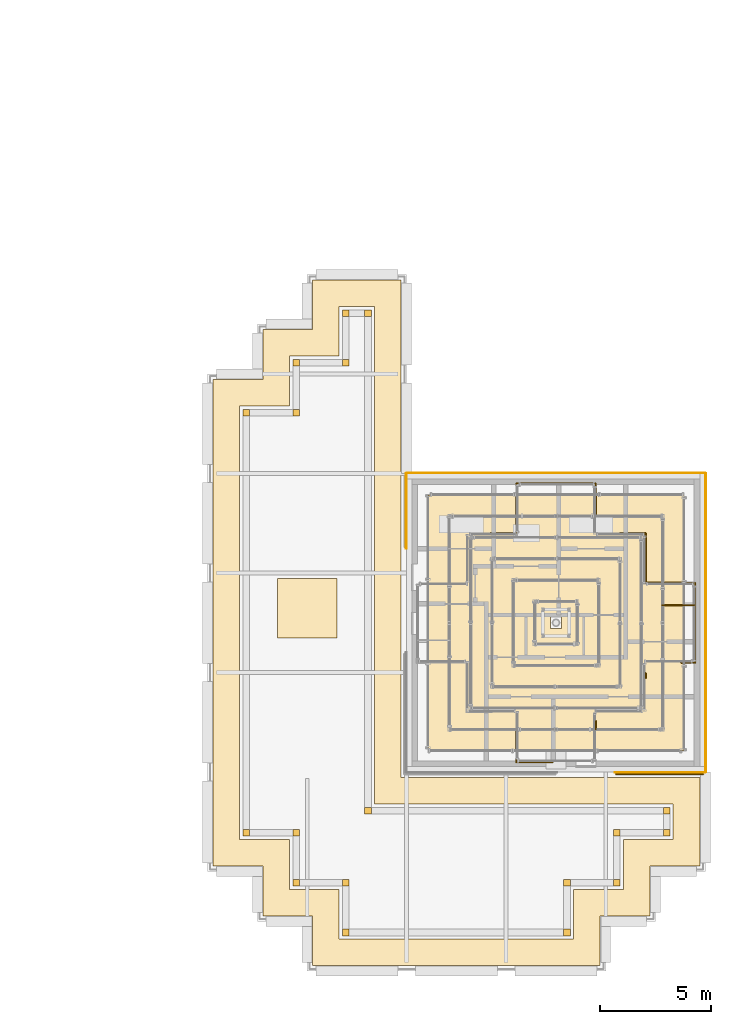
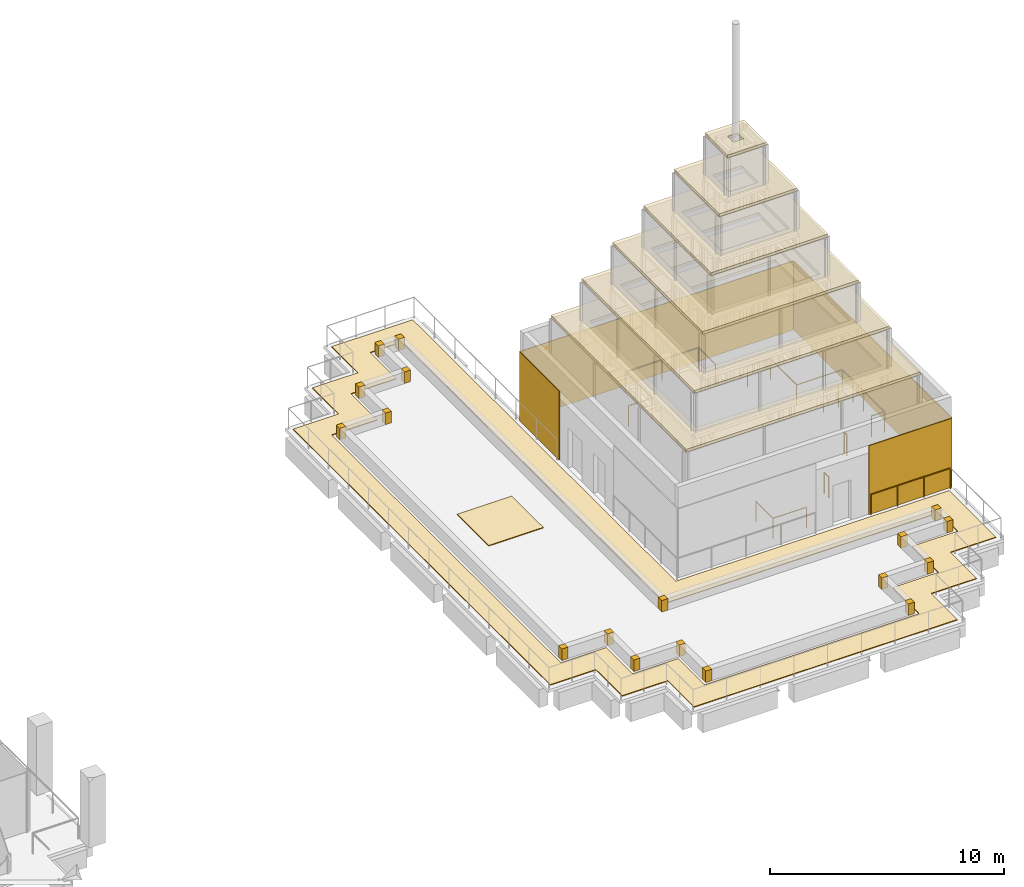
# One storey, part 62 of 62: 30 coverings, 7 railings.
"""IFC4 building model written with IfcOpenShell, lengths in metres."""

from ifc_helpers import new_model, si_unit, direction, frame, origin, origin_2d, place, context, subcontext, project, spatial, polyline, rectangle, circle, outline, extrude, source, transform, mapped, material, layer, layer_set, type_object, element, save


model = new_model("IFC4")

# Units and contexts
model_context = context("Model", 3, precision=1e-05, world=origin(), true_north=direction((0.0, 1.0)))
body_context = subcontext(model_context, "Body", "Model", "MODEL_VIEW")
ifc_project = project(units=[si_unit("LENGTHUNIT", "METRE"), si_unit("AREAUNIT", "SQUARE_METRE"), si_unit("VOLUMEUNIT", "CUBIC_METRE"), si_unit("PLANEANGLEUNIT", "RADIAN"), si_unit("MASSUNIT", "GRAM", prefix="KILO")], contexts=[model_context])

# Site, building, storey
site_placement = place(None, origin())
site = spatial("IfcSite", under=ifc_project, at=site_placement, CompositionType="ELEMENT")
building_placement = place(site_placement, origin())
building = spatial("IfcBuilding", under=site, at=building_placement, Name="Altepetl Exchange Towers", CompositionType="ELEMENT")
storey_placement = place(building_placement, frame((0.0, 0.0, 210.0)))
storey = spatial("IfcBuildingStorey", under=building, at=storey_placement, Name="L53", CompositionType="ELEMENT", Elevation=210.0)

# Coverings
ifc_material_1 = material(Name="Safety glass roof", Category="glass")
ifc_layer_1 = layer(ifc_material_1, 0.14990234375)
ifc_layer_set_1 = layer_set([ifc_layer_1], Name="Safety glass roof")
covering_type_1 = type_object("IfcCoveringType", Name="Glazed roof covering 150", PredefinedType="CLADDING", material=ifc_layer_set_1)
covering_1_placement = place(storey_placement, frame((0.0, 0.0, 5.60009765625)))
element("IfcCovering", 1, at=covering_1_placement, inside=storey, type_object=covering_type_1, Name="Crown roof glazing", PredefinedType="CLADDING", context=body_context, shape_type="SweptSolid", body=[
    extrude(outline(polyline([(104.46435546875, 36.96435546875), (116.03564453125, 36.96435546875), (116.03564453125, 48.53564453125), (104.46435546875, 48.53564453125), (104.46435546875, 36.96435546875)]), holes=[polyline([(105.678466796875, 38.178466796875), (114.821533203125, 38.178466796875), (114.821533203125, 47.321533203125), (105.678466796875, 47.321533203125), (105.678466796875, 38.178466796875)])]), origin(), (0.0, 0.0, 1.0), 0.14990234375),
])
covering_2_placement = place(storey_placement, frame((0.0, 0.0, 7.75)))
element("IfcCovering", 2, at=covering_2_placement, inside=storey, type_object=covering_type_1, Name="Crown roof glazing", PredefinedType="CLADDING", context=body_context, shape_type="SweptSolid", body=[
    extrude(outline(polyline([(105.428466796875, 37.928466796875), (115.071533203125, 37.928466796875), (115.071533203125, 47.571533203125), (105.428466796875, 47.571533203125), (105.428466796875, 37.928466796875)]), holes=[polyline([(106.642822265625, 39.142822265625), (113.857177734375, 39.142822265625), (113.857177734375, 46.357177734375), (106.642822265625, 46.357177734375), (106.642822265625, 39.142822265625)])]), origin(), (0.0, 0.0, 1.0), 0.14990234375),
])
covering_3_placement = place(storey_placement, frame((0.0, 0.0, 9.89990234375)))
element("IfcCovering", 3, at=covering_3_placement, inside=storey, type_object=covering_type_1, Name="Crown roof glazing", PredefinedType="CLADDING", context=body_context, shape_type="SweptSolid", body=[
    extrude(outline(polyline([(106.392822265625, 38.892822265625), (114.107177734375, 38.892822265625), (114.107177734375, 46.607177734375), (106.392822265625, 46.607177734375), (106.392822265625, 38.892822265625)]), holes=[polyline([(107.607177734375, 40.107177734375), (112.892822265625, 40.107177734375), (112.892822265625, 45.392822265625), (107.607177734375, 45.392822265625), (107.607177734375, 40.107177734375)])]), origin(), (0.0, 0.0, 1.0), 0.150146484375),
])
covering_4_placement = place(storey_placement, frame((0.0, 0.0, 12.050048828125)))
element("IfcCovering", 4, at=covering_4_placement, inside=storey, type_object=covering_type_1, Name="Crown roof glazing", PredefinedType="CLADDING", context=body_context, shape_type="SweptSolid", body=[
    extrude(outline(polyline([(107.357177734375, 39.857177734375), (113.142822265625, 39.857177734375), (113.142822265625, 45.642822265625), (107.357177734375, 45.642822265625), (107.357177734375, 39.857177734375)]), holes=[polyline([(108.571533203125, 41.071533203125), (111.928466796875, 41.071533203125), (111.928466796875, 44.428466796875), (108.571533203125, 44.428466796875), (108.571533203125, 41.071533203125)])]), origin(), (0.0, 0.0, 1.0), 0.14990234375),
])
covering_5_placement = place(storey_placement, frame((0.0, 0.0, 14.199951171875)))
element("IfcCovering", 5, at=covering_5_placement, inside=storey, type_object=covering_type_1, Name="Crown roof glazing", PredefinedType="CLADDING", context=body_context, shape_type="SweptSolid", body=[
    extrude(outline(polyline([(108.321533203125, 40.821533203125), (112.178466796875, 40.821533203125), (112.178466796875, 44.678466796875), (108.321533203125, 44.678466796875), (108.321533203125, 40.821533203125)]), holes=[polyline([(109.53564453125, 42.03564453125), (110.96435546875, 42.03564453125), (110.96435546875, 43.46435546875), (109.53564453125, 43.46435546875), (109.53564453125, 42.03564453125)])]), origin(), (0.0, 0.0, 1.0), 0.150146484375),
])
covering_6_placement = place(storey_placement, frame((0.0, 0.0, 16.35009765625)))
element("IfcCovering", 6, at=covering_6_placement, inside=storey, type_object=covering_type_1, Name="Crown roof glazing", PredefinedType="CLADDING", context=body_context, shape_type="SweptSolid", body=[
    extrude(outline(polyline([(109.28564453125, 41.78564453125), (111.21435546875, 41.78564453125), (111.21435546875, 43.71435546875), (109.28564453125, 43.71435546875), (109.28564453125, 41.78564453125)]), holes=[polyline([(110.0, 42.5), (110.5, 42.5), (110.5, 43.0), (110.0, 43.0), (110.0, 42.5)])]), origin(), (0.0, 0.0, 1.0), 0.14990234375),
])
ifc_material_2 = material(Name="Concrete C30/37", Category="concrete")
ifc_layer_2 = layer(ifc_material_2, 0.300048828125)
ifc_layer_set_2 = layer_set([ifc_layer_2], Name="Concrete C30/37")
covering_type_2 = type_object("IfcCoveringType", Name="Planter corner block 300 concrete", PredefinedType="CLADDING", material=ifc_layer_set_2)
covering_7_placement = place(storey_placement, origin())
element("IfcCovering", 7, at=covering_7_placement, inside=storey, type_object=covering_type_2, Name="Planter corner block", PredefinedType="CLADDING", context=body_context, shape_type="SweptSolid", body=[
    extrude(outline(polyline([(98.64990234375, 33.39990234375), (98.35009765625, 33.39990234375), (98.35009765625, 33.10009765625), (98.64990234375, 33.10009765625), (98.64990234375, 33.39990234375)])), origin(), (0.0, 0.0, 1.0), 0.60009765625),
])
covering_8_placement = place(storey_placement, origin())
element("IfcCovering", 8, at=covering_8_placement, inside=storey, type_object=covering_type_2, Name="Planter corner block", PredefinedType="CLADDING", context=body_context, shape_type="SweptSolid", body=[
    extrude(outline(polyline([(98.64990234375, 31.14990234375), (98.35009765625, 31.14990234375), (98.35009765625, 30.85009765625), (98.64990234375, 30.85009765625), (98.64990234375, 31.14990234375)])), origin(), (0.0, 0.0, 1.0), 0.60009765625),
])
covering_9_placement = place(storey_placement, origin())
element("IfcCovering", 9, at=covering_9_placement, inside=storey, type_object=covering_type_2, Name="Planter corner block", PredefinedType="CLADDING", context=body_context, shape_type="SweptSolid", body=[
    extrude(outline(polyline([(100.89990234375, 30.85009765625), (100.89990234375, 31.14990234375), (100.60009765625, 31.14990234375), (100.60009765625, 30.85009765625), (100.89990234375, 30.85009765625)])), origin(), (0.0, 0.0, 1.0), 0.60009765625),
])
covering_10_placement = place(storey_placement, origin())
element("IfcCovering", 10, at=covering_10_placement, inside=storey, type_object=covering_type_2, Name="Planter corner block", PredefinedType="CLADDING", context=body_context, shape_type="SweptSolid", body=[
    extrude(outline(polyline([(100.89990234375, 28.89990234375), (100.60009765625, 28.89990234375), (100.60009765625, 28.60009765625), (100.89990234375, 28.60009765625), (100.89990234375, 28.89990234375)])), origin(), (0.0, 0.0, 1.0), 0.60009765625),
])
covering_11_placement = place(storey_placement, origin())
element("IfcCovering", 11, at=covering_11_placement, inside=storey, type_object=covering_type_2, Name="Planter corner block", PredefinedType="CLADDING", context=body_context, shape_type="SweptSolid", body=[
    extrude(outline(polyline([(110.60009765625, 28.89990234375), (110.60009765625, 28.60009765625), (110.89990234375, 28.60009765625), (110.89990234375, 28.89990234375), (110.60009765625, 28.89990234375)])), origin(), (0.0, 0.0, 1.0), 0.60009765625),
])
covering_12_placement = place(storey_placement, origin())
element("IfcCovering", 12, at=covering_12_placement, inside=storey, type_object=covering_type_2, Name="Planter corner block", PredefinedType="CLADDING", context=body_context, shape_type="SweptSolid", body=[
    extrude(outline(polyline([(110.89990234375, 31.14990234375), (110.60009765625, 31.14990234375), (110.60009765625, 30.85009765625), (110.89990234375, 30.85009765625), (110.89990234375, 31.14990234375)])), origin(), (0.0, 0.0, 1.0), 0.60009765625),
])
covering_13_placement = place(storey_placement, origin())
element("IfcCovering", 13, at=covering_13_placement, inside=storey, type_object=covering_type_2, Name="Planter corner block", PredefinedType="CLADDING", context=body_context, shape_type="SweptSolid", body=[
    extrude(outline(polyline([(112.85009765625, 31.14990234375), (112.85009765625, 30.85009765625), (113.14990234375, 30.85009765625), (113.14990234375, 31.14990234375), (112.85009765625, 31.14990234375)])), origin(), (0.0, 0.0, 1.0), 0.60009765625),
])
covering_14_placement = place(storey_placement, origin())
element("IfcCovering", 14, at=covering_14_placement, inside=storey, type_object=covering_type_2, Name="Planter corner block", PredefinedType="CLADDING", context=body_context, shape_type="SweptSolid", body=[
    extrude(outline(polyline([(113.14990234375, 33.39990234375), (112.85009765625, 33.39990234375), (112.85009765625, 33.10009765625), (113.14990234375, 33.10009765625), (113.14990234375, 33.39990234375)])), origin(), (0.0, 0.0, 1.0), 0.60009765625),
])
covering_15_placement = place(storey_placement, origin())
element("IfcCovering", 15, at=covering_15_placement, inside=storey, type_object=covering_type_2, Name="Planter corner block", PredefinedType="CLADDING", context=body_context, shape_type="SweptSolid", body=[
    extrude(outline(polyline([(115.10009765625, 33.39990234375), (115.10009765625, 33.10009765625), (115.39990234375, 33.10009765625), (115.39990234375, 33.39990234375), (115.10009765625, 33.39990234375)])), origin(), (0.0, 0.0, 1.0), 0.60009765625),
])
covering_16_placement = place(storey_placement, origin())
element("IfcCovering", 16, at=covering_16_placement, inside=storey, type_object=covering_type_2, Name="Planter corner block", PredefinedType="CLADDING", context=body_context, shape_type="SweptSolid", body=[
    extrude(outline(polyline([(115.10009765625, 34.10009765625), (115.39990234375, 34.10009765625), (115.39990234375, 34.39990234375), (115.10009765625, 34.39990234375), (115.10009765625, 34.10009765625)])), origin(), (0.0, 0.0, 1.0), 0.60009765625),
])
covering_17_placement = place(storey_placement, origin())
element("IfcCovering", 17, at=covering_17_placement, inside=storey, type_object=covering_type_2, Name="Planter corner block", PredefinedType="CLADDING", context=body_context, shape_type="SweptSolid", body=[
    extrude(outline(polyline([(101.60009765625, 34.39990234375), (101.60009765625, 34.10009765625), (101.89990234375, 34.10009765625), (101.89990234375, 34.39990234375), (101.60009765625, 34.39990234375)])), origin(), (0.0, 0.0, 1.0), 0.60009765625),
])
covering_18_placement = place(storey_placement, origin())
element("IfcCovering", 18, at=covering_18_placement, inside=storey, type_object=covering_type_2, Name="Planter corner block", PredefinedType="CLADDING", context=body_context, shape_type="SweptSolid", body=[
    extrude(outline(polyline([(101.60009765625, 56.60009765625), (101.89990234375, 56.60009765625), (101.89990234375, 56.89990234375), (101.60009765625, 56.89990234375), (101.60009765625, 56.60009765625)])), origin(), (0.0, 0.0, 1.0), 0.60009765625),
])
covering_19_placement = place(storey_placement, origin())
element("IfcCovering", 19, at=covering_19_placement, inside=storey, type_object=covering_type_2, Name="Planter corner block", PredefinedType="CLADDING", context=body_context, shape_type="SweptSolid", body=[
    extrude(outline(polyline([(100.89990234375, 56.60009765625), (100.89990234375, 56.89990234375), (100.60009765625, 56.89990234375), (100.60009765625, 56.60009765625), (100.89990234375, 56.60009765625)])), origin(), (0.0, 0.0, 1.0), 0.60009765625),
])
covering_20_placement = place(storey_placement, origin())
element("IfcCovering", 20, at=covering_20_placement, inside=storey, type_object=covering_type_2, Name="Planter corner block", PredefinedType="CLADDING", context=body_context, shape_type="SweptSolid", body=[
    extrude(outline(polyline([(100.60009765625, 54.35009765625), (100.89990234375, 54.35009765625), (100.89990234375, 54.64990234375), (100.60009765625, 54.64990234375), (100.60009765625, 54.35009765625)])), origin(), (0.0, 0.0, 1.0), 0.60009765625),
])
covering_21_placement = place(storey_placement, origin())
element("IfcCovering", 21, at=covering_21_placement, inside=storey, type_object=covering_type_2, Name="Planter corner block", PredefinedType="CLADDING", context=body_context, shape_type="SweptSolid", body=[
    extrude(outline(polyline([(98.64990234375, 54.35009765625), (98.64990234375, 54.64990234375), (98.35009765625, 54.64990234375), (98.35009765625, 54.35009765625), (98.64990234375, 54.35009765625)])), origin(), (0.0, 0.0, 1.0), 0.60009765625),
])
covering_22_placement = place(storey_placement, origin())
element("IfcCovering", 22, at=covering_22_placement, inside=storey, type_object=covering_type_2, Name="Planter corner block", PredefinedType="CLADDING", context=body_context, shape_type="SweptSolid", body=[
    extrude(outline(polyline([(98.35009765625, 52.10009765625), (98.64990234375, 52.10009765625), (98.64990234375, 52.39990234375), (98.35009765625, 52.39990234375), (98.35009765625, 52.10009765625)])), origin(), (0.0, 0.0, 1.0), 0.60009765625),
])
covering_23_placement = place(storey_placement, origin())
element("IfcCovering", 23, at=covering_23_placement, inside=storey, type_object=covering_type_2, Name="Planter corner block", PredefinedType="CLADDING", context=body_context, shape_type="SweptSolid", body=[
    extrude(outline(polyline([(96.39990234375, 52.10009765625), (96.39990234375, 52.39990234375), (96.10009765625, 52.39990234375), (96.10009765625, 52.10009765625), (96.39990234375, 52.10009765625)])), origin(), (0.0, 0.0, 1.0), 0.60009765625),
])
covering_24_placement = place(storey_placement, origin())
element("IfcCovering", 24, at=covering_24_placement, inside=storey, type_object=covering_type_2, Name="Planter corner block", PredefinedType="CLADDING", context=body_context, shape_type="SweptSolid", body=[
    extrude(outline(polyline([(96.10009765625, 33.39990234375), (96.10009765625, 33.10009765625), (96.39990234375, 33.10009765625), (96.39990234375, 33.39990234375), (96.10009765625, 33.39990234375)])), origin(), (0.0, 0.0, 1.0), 0.60009765625),
])
ifc_material_3 = material(Name="Cantera limestone cladding", Category="masonry")
ifc_layer_3 = layer(ifc_material_3, 0.0400390625)
ifc_layer_set_3 = layer_set([ifc_layer_3], Name="Cantera limestone cladding")
covering_type_3 = type_object("IfcCoveringType", Name="Stone panel 40 cantera", PredefinedType="CLADDING", material=ifc_layer_set_3)
covering_25_placement = place(storey_placement, frame((114.949951171875, 35.97998046875, 0.0)))
element("IfcCovering", 25, at=covering_25_placement, inside=storey, type_object=covering_type_3, Name="Stone cladding panel", PredefinedType="CLADDING", context=body_context, shape_type="SweptSolid", body=[
    extrude(rectangle(XDim=4.10009765625, YDim=0.0400390625, at=origin_2d()), origin(), (0.0, 0.0, 1.0), 3.60009765625),
])
for number, where, z_axis, x_axis, name in (
    (26, (117.02001953125, 42.75, 0.0), (0.0, 0.0, 1.0), (0.0, 1.0, 0.0), "Stone cladding panel"),
    (27, (110.25, 49.52001953125, 0.0), (0.0, 0.0, 1.0), (-1.0, 0.0, 0.0), "Stone cladding panel"),
):
    element("IfcCovering", number, at=place(storey_placement, frame(where, z_axis=z_axis, x_axis=x_axis)), inside=storey, type_object=covering_type_3, Name=name, PredefinedType="CLADDING", context=body_context, shape_type="SweptSolid", body=[
        extrude(rectangle(XDim=13.5, YDim=0.0400390625, at=origin_2d()), origin(), (0.0, 0.0, 1.0), 3.60009765625),
    ])
covering_26_placement = place(storey_placement, frame((103.47998046875, 47.800048828125, 0.0), z_axis=(0.0, 0.0, 1.0), x_axis=(0.0, -1.0, 0.0)))
element("IfcCovering", 28, at=covering_26_placement, inside=storey, type_object=covering_type_3, Name="Stone cladding panel", PredefinedType="CLADDING", context=body_context, shape_type="SweptSolid", body=[
    extrude(rectangle(XDim=3.39990234375, YDim=0.0400390625, at=origin_2d()), origin(), (0.0, 0.0, 1.0), 3.60009765625),
])
ifc_material_4 = material(Name="Cantera limestone paving", Category="masonry")
ifc_layer_4 = layer(ifc_material_4, 0.0400390625)
ifc_layer_set_4 = layer_set([ifc_layer_4], Name="Cantera limestone paving")
covering_type_4 = type_object("IfcCoveringType", Name="Stone terrace paving 40", PredefinedType="FLOORING", material=ifc_layer_set_4)
covering_27_placement = place(storey_placement, origin())
element("IfcCovering", 29, at=covering_27_placement, inside=storey, type_object=covering_type_4, Name="Terrace paving", PredefinedType="FLOORING", context=body_context, shape_type="SweptSolid", body=[
    extrude(outline(polyline([(97.0, 31.75), (97.0, 29.5), (99.25, 29.5), (99.25, 27.25), (112.25, 27.25), (112.25, 29.5), (114.5, 29.5), (114.5, 31.75), (116.75, 31.75), (116.75, 35.75), (103.25, 35.75), (103.25, 58.25), (99.25, 58.25), (99.25, 56.0), (97.0, 56.0), (97.0, 53.75), (94.75, 53.75), (94.75, 31.75), (97.0, 31.75)]), holes=[polyline([(100.449951171875, 30.699951171875), (100.449951171875, 28.449951171875), (111.050048828125, 28.449951171875), (111.050048828125, 30.699951171875), (113.300048828125, 30.699951171875), (113.300048828125, 32.949951171875), (115.550048828125, 32.949951171875), (115.550048828125, 34.550048828125), (102.050048828125, 34.550048828125), (102.050048828125, 57.050048828125), (100.449951171875, 57.050048828125), (100.449951171875, 54.800048828125), (98.199951171875, 54.800048828125), (98.199951171875, 52.550048828125), (95.949951171875, 52.550048828125), (95.949951171875, 32.949951171875), (98.199951171875, 32.949951171875), (98.199951171875, 30.699951171875), (100.449951171875, 30.699951171875)])]), origin(), (0.0, 0.0, 1.0), 0.0400390625),
])
covering_28_placement = place(storey_placement, origin())
element("IfcCovering", 30, at=covering_28_placement, inside=storey, type_object=covering_type_4, Name="Terrace paving", PredefinedType="FLOORING", context=body_context, shape_type="SweptSolid", body=[
    extrude(outline(polyline([(97.64990234375, 42.050048828125), (100.35009765625, 42.050048828125), (100.35009765625, 44.75), (97.64990234375, 44.75), (97.64990234375, 42.050048828125)])), origin(), (0.0, 0.0, 1.0), 0.0400390625),
])

# Railings
ifc_material_5 = material(Name="Steel S355", Category="steel")
railing_type_1 = type_object("IfcRailingType", Name="Guard 1100 steel posts and rail", PredefinedType="GUARDRAIL", material=ifc_material_5)
shared_shape_1 = source(origin(), body_context, "Body", "SweptSolid", [
    extrude(circle(Radius=0.02099609375, at=origin_2d()), origin(), (0.0, 0.0, 1.0), 1.052001953125),
])
railing_1_placement = place(storey_placement, frame((115.91064453125, 40.949951171875, 0.0)))
element("IfcRailing", 31, at=railing_1_placement, inside=storey, type_object=railing_type_1, Name="Loggia guard", PredefinedType="GUARDRAIL", context=body_context, shape_type="SweptSolid", body=[
    extrude(circle(Radius=0.02392578125, at=origin_2d()), frame((0.0, 0.0, 1.076171875), z_axis=(1.0, 0.0, 0.0), x_axis=(0.0, 1.0, 0.0)), (0.0, 0.0, 1.0), 0.639404296875),
    extrude(circle(Radius=0.02392578125, at=origin_2d()), frame((0.639404296875, 0.0, 1.076171875), z_axis=(0.0, 1.0, 0.0), x_axis=(-1.0, 0.0, 0.0)), (0.0, 0.0, 1.0), 3.60009765625),
    extrude(circle(Radius=0.02392578125, at=origin_2d()), frame((0.639404296875, 3.60009765625, 1.076171875), z_axis=(-1.0, 0.0, 0.0), x_axis=(0.0, -1.0, 0.0)), (0.0, 0.0, 1.0), 2.25),
    extrude(circle(Radius=0.02392578125, at=origin_2d()), frame((-1.610595703125, 3.60009765625, 1.076171875), z_axis=(0.0, 1.0, 0.0), x_axis=(-1.0, 0.0, 0.0)), (0.0, 0.0, 1.0), 2.25),
    extrude(circle(Radius=0.02392578125, at=origin_2d()), frame((-1.610595703125, 5.85009765625, 1.076171875), z_axis=(-1.0, 0.0, 0.0), x_axis=(0.0, -1.0, 0.0)), (0.0, 0.0, 1.0), 1.140625),
    mapped(shared_shape_1, transform((0.0, 0.0, 0.0))),
    mapped(shared_shape_1, transform((0.639404296875, 0.0, 0.0))),
    mapped(shared_shape_1, transform((0.639404296875, 1.800048828125, 0.0))),
    mapped(shared_shape_1, transform((0.639404296875, 3.60009765625, 0.0))),
    mapped(shared_shape_1, transform((-1.610595703125, 3.60009765625, 0.0))),
    mapped(shared_shape_1, transform((-1.610595703125, 5.85009765625, 0.0))),
    mapped(shared_shape_1, transform((-2.751220703125, 5.85009765625, 0.0))),
])
railing_2_placement = place(storey_placement, frame((112.050048828125, 47.58251953125, 0.0)))
element("IfcRailing", 32, at=railing_2_placement, inside=storey, type_object=railing_type_1, Name="Loggia guard", PredefinedType="GUARDRAIL", context=body_context, shape_type="SweptSolid", body=[
    extrude(circle(Radius=0.02392578125, at=origin_2d()), frame((0.0, 0.0, 1.076171875), z_axis=(0.0, 1.0, 0.0), x_axis=(-1.0, 0.0, 0.0)), (0.0, 0.0, 1.0), 1.467529296875),
    extrude(circle(Radius=0.02392578125, at=origin_2d()), frame((0.0, 1.467529296875, 1.076171875), z_axis=(-1.0, 0.0, 0.0), x_axis=(0.0, -1.0, 0.0)), (0.0, 0.0, 1.0), 3.60009765625),
    extrude(circle(Radius=0.02392578125, at=origin_2d()), frame((-3.60009765625, 1.467529296875, 1.076171875), z_axis=(0.0, -1.0, 0.0), x_axis=(1.0, 0.0, 0.0)), (0.0, 0.0, 1.0), 2.25),
    extrude(circle(Radius=0.02392578125, at=origin_2d()), frame((-3.60009765625, -0.782470703125, 1.076171875), z_axis=(-1.0, 0.0, 0.0), x_axis=(0.0, -1.0, 0.0)), (0.0, 0.0, 1.0), 1.156982421875),
    mapped(shared_shape_1, transform((0.0, 0.0, 0.0))),
    mapped(shared_shape_1, transform((0.0, 1.467529296875, 0.0))),
    mapped(shared_shape_1, transform((-1.800048828125, 1.467529296875, 0.0))),
    mapped(shared_shape_1, transform((-3.60009765625, 1.467529296875, 0.0))),
    mapped(shared_shape_1, transform((-3.60009765625, -0.782470703125, 0.0))),
    mapped(shared_shape_1, transform((-4.757080078125, -0.782470703125, 0.0))),
])
railing_3_placement = place(storey_placement, frame((108.449951171875, 37.91748046875, 0.0)))
element("IfcRailing", 33, at=railing_3_placement, inside=storey, type_object=railing_type_1, Name="Loggia guard", PredefinedType="GUARDRAIL", context=body_context, shape_type="SweptSolid", body=[
    extrude(circle(Radius=0.02392578125, at=origin_2d()), frame((0.0, 0.0, 1.076171875), z_axis=(0.0, -1.0, 0.0), x_axis=(1.0, 0.0, 0.0)), (0.0, 0.0, 1.0), 1.467529296875),
    extrude(circle(Radius=0.02392578125, at=origin_2d()), frame((0.0, -1.467529296875, 1.076171875), z_axis=(1.0, 0.0, 0.0), x_axis=(0.0, 1.0, 0.0)), (0.0, 0.0, 1.0), 1.652587890625),
    mapped(shared_shape_1, transform((0.0, 0.0, 0.0))),
    mapped(shared_shape_1, transform((0.0, -1.467529296875, 0.0))),
    mapped(shared_shape_1, transform((1.652587890625, -1.467529296875, 0.0))),
])
railing_4_placement = place(storey_placement, frame((112.050048828125, 37.93017578125, 0.0)))
element("IfcRailing", 34, at=railing_4_placement, inside=storey, type_object=railing_type_1, Name="Loggia guard", PredefinedType="GUARDRAIL", context=body_context, shape_type="SweptSolid", body=[
    extrude(circle(Radius=0.02392578125, at=origin_2d()), frame((0.0, 0.0, 1.076171875), z_axis=(0.0, 1.0, 0.0), x_axis=(-1.0, 0.0, 0.0)), (0.0, 0.0, 1.0), 0.369384765625),
    mapped(shared_shape_1, transform((0.0, 0.0, 0.0))),
    mapped(shared_shape_1, transform((0.0, 0.369384765625, 0.0))),
])
railing_5_placement = place(storey_placement, frame((114.300048828125, 40.252197265625, 0.0)))
element("IfcRailing", 35, at=railing_5_placement, inside=storey, type_object=railing_type_1, Name="Loggia guard", PredefinedType="GUARDRAIL", context=body_context, shape_type="SweptSolid", body=[
    extrude(circle(Radius=0.02392578125, at=origin_2d()), frame((0.0, 0.0, 1.076171875), z_axis=(0.0, 1.0, 0.0), x_axis=(-1.0, 0.0, 0.0)), (0.0, 0.0, 1.0), 0.217529296875),
    mapped(shared_shape_1, transform((0.0, 0.0, 0.0))),
    mapped(shared_shape_1, transform((0.0, 0.217529296875, 0.0))),
])
railing_6_placement = place(storey_placement, frame((116.89990234375, 35.89990234375, 0.0)))
element("IfcRailing", 36, at=railing_6_placement, inside=storey, type_object=railing_type_1, Name="Terrace guard", PredefinedType="GUARDRAIL", context=body_context, shape_type="SweptSolid", body=[
    extrude(circle(Radius=0.02392578125, at=origin_2d()), frame((0.0, 0.0, 1.076171875), z_axis=(-1.0, 0.0, 0.0), x_axis=(0.0, -1.0, 0.0)), (0.0, 0.0, 1.0), 3.92626953125),
    mapped(shared_shape_1, transform((0.0, 0.0, 0.0))),
    mapped(shared_shape_1, transform((-1.308837890625, 0.0, 0.0))),
    mapped(shared_shape_1, transform((-2.617431640625, 0.0, 0.0))),
    mapped(shared_shape_1, transform((-3.92626953125, 0.0, 0.0))),
])
ifc_material_6 = material(Name="Steel", Category="steel")
railing_type_2 = type_object("IfcRailingType", Name="Stair well guard 1100 steel", PredefinedType="GUARDRAIL", material=ifc_material_6)
shared_shape_2 = source(origin(), body_context, "Body", "SweptSolid", [
    extrude(circle(Radius=0.02099609375, at=origin_2d()), origin(), (0.0, 0.0, 1.0), 1.052001953125),
])
railing_7_placement = place(storey_placement, frame((115.050048828125, 43.550048828125, 0.0)))
element("IfcRailing", 37, at=railing_7_placement, inside=storey, type_object=railing_type_2, Name="Stair well guard", PredefinedType="GUARDRAIL", context=body_context, shape_type="SweptSolid", body=[
    extrude(circle(Radius=0.02392578125, at=origin_2d()), frame((0.0, 0.0, 1.076171875), z_axis=(1.0, 0.0, 0.0), x_axis=(0.0, 1.0, 0.0)), (0.0, 0.0, 1.0), 1.449951171875),
    mapped(shared_shape_2, transform((0.0, 0.0, 0.0))),
    mapped(shared_shape_2, transform((0.72509765625, 0.0, 0.0))),
    mapped(shared_shape_2, transform((1.449951171875, 0.0, 0.0))),
])

save(model, "model.ifc")
